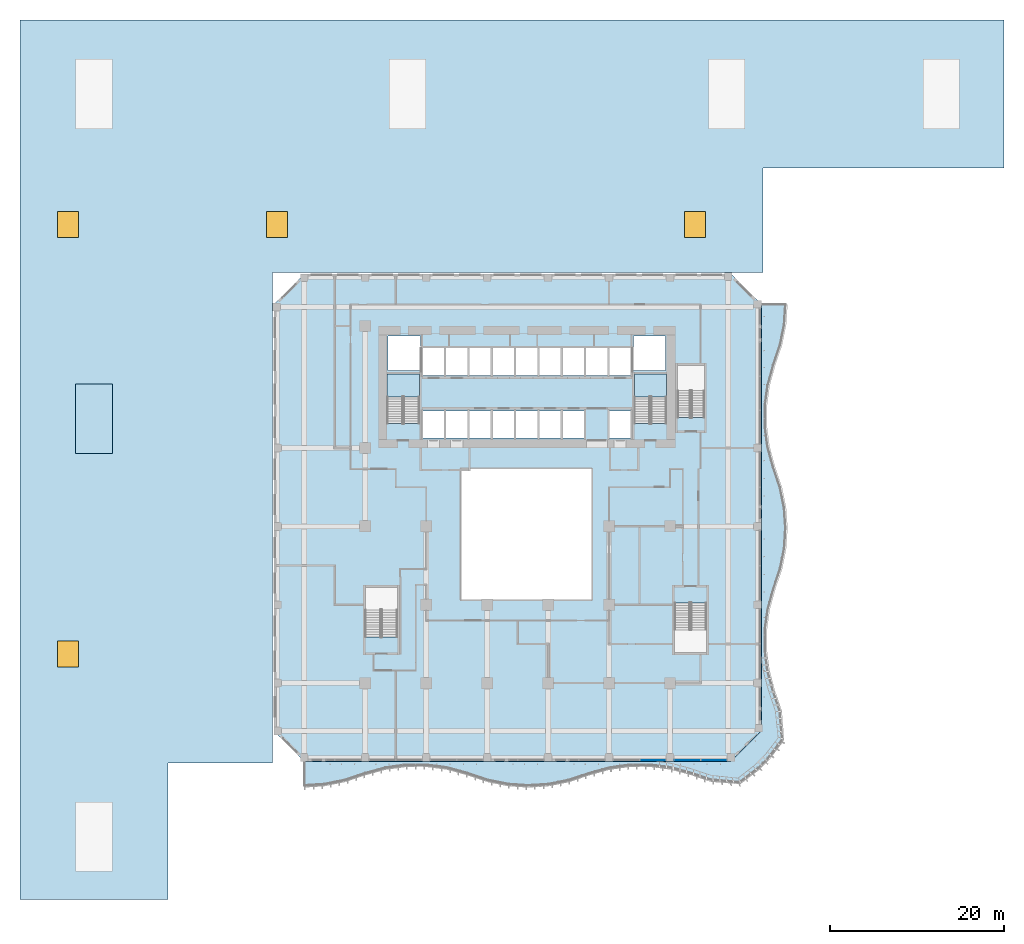
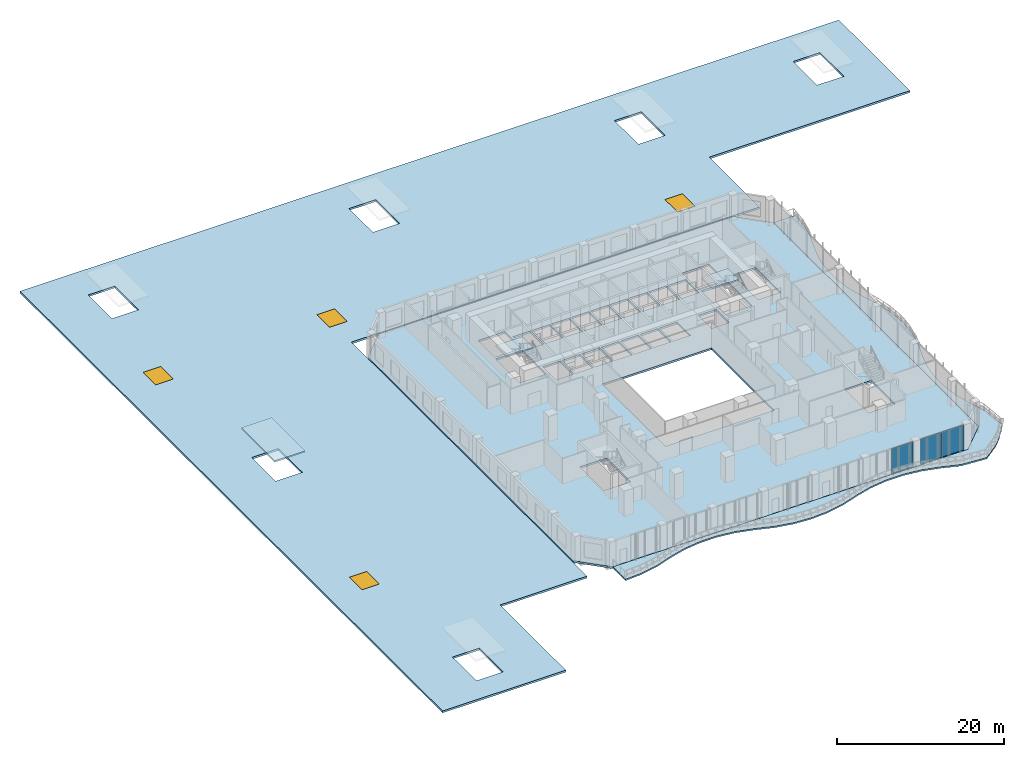
"""IFC4 building model written with IfcOpenShell, lengths in metres."""

from ifc_helpers import new_model, si_unit, direction, frame, origin, origin_2d, place, context, subcontext, project, spatial, polyline, rectangle, outline, extrude, source, transform, mapped, material, layer, layer_set, type_object, element, fill, aggregate, save


model = new_model("IFC4")

# Units and contexts
model_context = context("Model", 3, precision=1e-05, world=origin(), true_north=direction((0.0, 1.0)))
body_context = subcontext(model_context, "Body", "Model", "MODEL_VIEW")
ifc_project = project(units=[si_unit("LENGTHUNIT", "METRE"), si_unit("AREAUNIT", "SQUARE_METRE"), si_unit("VOLUMEUNIT", "CUBIC_METRE"), si_unit("PLANEANGLEUNIT", "RADIAN"), si_unit("MASSUNIT", "GRAM", prefix="KILO")], contexts=[model_context])

# Site, building, storey
site_placement = place(None, origin())
site = spatial("IfcSite", under=ifc_project, at=site_placement, CompositionType="ELEMENT")
building_placement = place(site_placement, origin())
building = spatial("IfcBuilding", under=site, at=building_placement, Name="Kilnfold Tower and Market Hall", CompositionType="ELEMENT")
storey_1_placement = place(building_placement, frame((0.0, 0.0, 27.0)))
storey_1 = spatial("IfcBuildingStorey", under=building, at=storey_1_placement, Name="L05", CompositionType="ELEMENT", Elevation=27.0)

# Slab
ifc_material_1 = material(Name="Concrete C45", Category="concrete")
ifc_layer_1 = layer(ifc_material_1, 0.280029296875)
ifc_layer_set_1 = layer_set([ifc_layer_1], Name="Concrete C45")
slab_type_1 = type_object("IfcSlabType", Name="FLOOR SLAB 280", PredefinedType="FLOOR", material=ifc_layer_set_1)
shared_shape_1 = source(origin(), body_context, "Body", "SweptSolid", [
    extrude(outline(polyline([(-24.5, -28.0), (24.5, -28.0), (28.0, -24.5), (28.0, 24.5), (24.5, 28.0), (-24.5, 28.0), (-28.0, 24.5), (-28.0, -24.5), (-24.5, -28.0)]), holes=[polyline([(-13.800537109375, -13.699462890625), (-17.49951171875, -13.699462890625), (-17.49951171875, -8.00048828125), (-13.800537109375, -8.00048828125), (-13.800537109375, -13.699462890625)]), polyline([(-11.300537109375, 10.800537109375), (-14.99951171875, 10.800537109375), (-14.99951171875, 16.49951171875), (-11.300537109375, 16.49951171875), (-11.300537109375, 10.800537109375)]), polyline([(-11.175048828125, 16.875), (-14.875, 16.875), (-14.875, 20.875), (-11.175048828125, 20.875), (-11.175048828125, 16.875)]), polyline([(-10.885009765625, 9.125), (-10.885009765625, 12.27490234375), (-8.455078125, 12.27490234375), (-8.455078125, 9.125), (-10.885009765625, 9.125)]), polyline([(-10.885009765625, 16.324951171875), (-10.885009765625, 19.47509765625), (-8.455078125, 19.47509765625), (-8.455078125, 16.324951171875), (-10.885009765625, 16.324951171875)]), polyline([(-5.77490234375, 9.125), (-8.205078125, 9.125), (-8.205078125, 12.27490234375), (-5.77490234375, 12.27490234375), (-5.77490234375, 9.125)]), polyline([(-8.205078125, 16.324951171875), (-8.205078125, 19.47509765625), (-5.77490234375, 19.47509765625), (-5.77490234375, 16.324951171875), (-8.205078125, 16.324951171875)]), polyline([(-6.5, -9.39990234375), (-6.5, 5.60009765625), (8.5, 5.60009765625), (8.5, -9.39990234375), (-6.5, -9.39990234375)]), polyline([(-5.52490234375, 9.125), (-5.52490234375, 12.27490234375), (-3.094970703125, 12.27490234375), (-3.094970703125, 9.125), (-5.52490234375, 9.125)]), polyline([(-3.094970703125, 16.324951171875), (-5.52490234375, 16.324951171875), (-5.52490234375, 19.47509765625), (-3.094970703125, 19.47509765625), (-3.094970703125, 16.324951171875)]), polyline([(-2.844970703125, 9.125), (-2.844970703125, 12.27490234375), (-0.4150390625, 12.27490234375), (-0.4150390625, 9.125), (-2.844970703125, 9.125)]), polyline([(-2.844970703125, 16.324951171875), (-2.844970703125, 19.47509765625), (-0.4150390625, 19.47509765625), (-0.4150390625, 16.324951171875), (-2.844970703125, 16.324951171875)]), polyline([(-0.1650390625, 9.125), (-0.1650390625, 12.27490234375), (2.264892578125, 12.27490234375), (2.264892578125, 9.125), (-0.1650390625, 9.125)]), polyline([(-0.1650390625, 16.324951171875), (-0.1650390625, 19.47509765625), (2.264892578125, 19.47509765625), (2.264892578125, 16.324951171875), (-0.1650390625, 16.324951171875)]), polyline([(4.945068359375, 9.125), (2.514892578125, 9.125), (2.514892578125, 12.27490234375), (4.945068359375, 12.27490234375), (4.945068359375, 9.125)]), polyline([(2.514892578125, 16.324951171875), (2.514892578125, 19.47509765625), (4.945068359375, 19.47509765625), (4.945068359375, 16.324951171875), (2.514892578125, 16.324951171875)]), polyline([(5.195068359375, 9.125), (5.195068359375, 12.27490234375), (7.625, 12.27490234375), (7.625, 9.125), (5.195068359375, 9.125)]), polyline([(5.195068359375, 16.324951171875), (5.195068359375, 19.47509765625), (7.625, 19.47509765625), (7.625, 16.324951171875), (5.195068359375, 16.324951171875)]), polyline([(7.875, 16.324951171875), (7.875, 19.47509765625), (10.304931640625, 19.47509765625), (10.304931640625, 16.324951171875), (7.875, 16.324951171875)]), polyline([(10.554931640625, 9.125), (10.554931640625, 12.27490234375), (12.985107421875, 12.27490234375), (12.985107421875, 9.125), (10.554931640625, 9.125)]), polyline([(10.554931640625, 16.324951171875), (10.554931640625, 19.47509765625), (12.985107421875, 19.47509765625), (12.985107421875, 16.324951171875), (10.554931640625, 16.324951171875)]), polyline([(13.27490234375, 16.875), (13.27490234375, 20.875), (16.97509765625, 20.875), (16.97509765625, 16.875), (13.27490234375, 16.875)]), polyline([(17.099609375, 10.800537109375), (13.400390625, 10.800537109375), (13.400390625, 16.49951171875), (17.099609375, 16.49951171875), (17.099609375, 10.800537109375)]), polyline([(21.699462890625, -9.800537109375), (21.699462890625, -15.49951171875), (18.00048828125, -15.49951171875), (18.00048828125, -9.800537109375), (21.699462890625, -9.800537109375)]), polyline([(18.3505859375, 11.50048828125), (18.3505859375, 17.49951171875), (21.449462890625, 17.49951171875), (21.449462890625, 11.50048828125), (18.3505859375, 11.50048828125)])]), origin(), (0.0, 0.0, 1.0), 0.280029296875),
])
slab_1_placement = place(storey_1_placement, frame((0.0, 0.0, -0.280029296875)))
element("IfcSlab", 1, at=slab_1_placement, inside=storey_1, type_object=slab_type_1, Name="Floor slab L05", PredefinedType="FLOOR", context=body_context, shape_type="MappedRepresentation", body=[
    mapped(shared_shape_1, transform((0.0, 0.0, 0.0))),
])

# Slab, openings
ifc_material_2 = material(Name="Concrete C40/50", Category="concrete")
ifc_layer_2 = layer(ifc_material_2, 0.280029296875)
ifc_layer_set_2 = layer_set([ifc_layer_2], Name="Concrete C40/50")
slab_type_2 = type_object("IfcSlabType", Name="HALL ROOF SLAB 280", PredefinedType="ROOF", material=ifc_layer_set_2)
shared_shape_2 = source(origin(), body_context, "Body", "SweptSolid", [
    extrude(outline(polyline([(-57.14990234375, -43.85009765625), (-40.14990234375, -43.85009765625), (-40.14990234375, -28.14990234375), (-28.14990234375, -28.14990234375), (-28.14990234375, -24.56201171875), (-28.14990234375, 24.56201171875), (-28.14990234375, 28.14990234375), (-24.56201171875, 28.14990234375), (24.56201171875, 28.14990234375), (28.14990234375, 28.14990234375), (28.14990234375, 40.14990234375), (55.85009765625, 40.14990234375), (55.85009765625, 57.14990234375), (-28.14990234375, 57.14990234375), (-57.14990234375, 57.14990234375), (-57.14990234375, 28.14990234375), (-57.14990234375, -43.85009765625)]), holes=[polyline([(-50.5, -34.705078125), (-50.5, -40.39990234375), (-46.800048828125, -40.39990234375), (-46.800048828125, -34.705078125), (-50.5, -34.705078125)]), polyline([(-50.5, 13.294921875), (-50.5, 7.60009765625), (-46.800048828125, 7.60009765625), (-46.800048828125, 13.294921875), (-50.5, 13.294921875)]), polyline([(-46.800048828125, 46.705078125), (-46.800048828125, 52.39990234375), (-50.5, 52.39990234375), (-50.5, 46.705078125), (-46.800048828125, 46.705078125)]), polyline([(-10.800048828125, 46.705078125), (-10.800048828125, 52.39990234375), (-14.5, 52.39990234375), (-14.5, 46.705078125), (-10.800048828125, 46.705078125)]), polyline([(25.85009765625, 46.705078125), (25.85009765625, 52.39990234375), (22.14990234375, 52.39990234375), (22.14990234375, 46.705078125), (25.85009765625, 46.705078125)]), polyline([(50.5, 46.705078125), (50.5, 52.39990234375), (46.800048828125, 52.39990234375), (46.800048828125, 46.705078125), (50.5, 46.705078125)])]), origin(), (0.0, 0.0, 1.0), 0.280029296875),
])
slab_2_placement = place(storey_1_placement, frame((0.0, 0.0, -0.280029296875)))
slab_2 = element("IfcSlab", 2, at=slab_2_placement, inside=storey_1, type_object=slab_type_2, Name="Roof slab hall", PredefinedType="ROOF", context=body_context, shape_type="MappedRepresentation", body=[
    mapped(shared_shape_2, transform((0.0, 0.0, 0.0))),
])
opening_1_placement = place(slab_2_placement, frame((-51.64990234375, -15.64990234375, 0.0)))
opening_1 = element("IfcOpeningElement", 3, at=opening_1_placement, cuts=slab_2, Name="Opening MEN4", PredefinedType="OPENING", context=body_context, shape_type="SweptSolid", body=[
    extrude(rectangle(XDim=2.39990234375, YDim=3.0, at=origin_2d()), origin(), (0.0, 0.0, 1.0), 0.280029296875),
])
opening_2_placement = place(slab_2_placement, frame((-51.64990234375, 33.64990234375, 0.0)))
opening_2 = element("IfcOpeningElement", 4, at=opening_2_placement, cuts=slab_2, Name="Opening MEN4", PredefinedType="OPENING", context=body_context, shape_type="SweptSolid", body=[
    extrude(rectangle(XDim=2.39990234375, YDim=3.0, at=origin_2d()), origin(), (0.0, 0.0, 1.0), 0.280029296875),
])
opening_3_placement = place(slab_2_placement, frame((-27.64990234375, 33.64990234375, 0.0)))
opening_3 = element("IfcOpeningElement", 5, at=opening_3_placement, cuts=slab_2, Name="Opening MEN4", PredefinedType="OPENING", context=body_context, shape_type="SweptSolid", body=[
    extrude(rectangle(XDim=2.39990234375, YDim=3.0, at=origin_2d()), origin(), (0.0, 0.0, 1.0), 0.280029296875),
])
opening_4_placement = place(slab_2_placement, frame((20.35009765625, 33.64990234375, 0.0)))
opening_4 = element("IfcOpeningElement", 6, at=opening_4_placement, cuts=slab_2, Name="Opening MEN4", PredefinedType="OPENING", context=body_context, shape_type="SweptSolid", body=[
    extrude(rectangle(XDim=2.39990234375, YDim=3.0, at=origin_2d()), origin(), (0.0, 0.0, 1.0), 0.280029296875),
])

# Storey
storey_2_placement = place(building_placement, frame((0.0, 0.0, 22.5)))
storey_2 = spatial("IfcBuildingStorey", under=building, at=storey_2_placement, Name="L04", CompositionType="ELEMENT", Elevation=22.5)

# Window
ifc_material_3 = material(Name="Aluminium glazing", Category="aluminium")
window_type = type_object("IfcWindowType", Name="ROOFLIGHT 2400X3000", PartitioningType="SINGLE_PANEL", PredefinedType="SKYLIGHT", material=ifc_material_3)
window_1_placement = place(opening_1_placement, frame((0.0, 0.0, 0.22998046875)))
window_1 = element("IfcWindow", 7, at=window_1_placement, inside=storey_2, type_object=window_type, Name="Rooflight", OverallHeight=3.0, OverallWidth=2.39990234375, PartitioningType="SINGLE_PANEL", PredefinedType="SKYLIGHT", context=body_context, shape_type="SweptSolid", body=[
    extrude(rectangle(XDim=2.39990234375, YDim=3.0, at=origin_2d()), origin(), (0.0, 0.0, 1.0), 0.050048828125),
])

fill(opening_1, window_1)

window_2_placement = place(opening_2_placement, frame((0.0, 0.0, 0.22998046875)))
window_2 = element("IfcWindow", 8, at=window_2_placement, inside=storey_2, type_object=window_type, Name="Rooflight", OverallHeight=3.0, OverallWidth=2.39990234375, PartitioningType="SINGLE_PANEL", PredefinedType="SKYLIGHT", context=body_context, shape_type="SweptSolid", body=[
    extrude(rectangle(XDim=2.39990234375, YDim=3.0, at=origin_2d()), origin(), (0.0, 0.0, 1.0), 0.050048828125),
])

fill(opening_2, window_2)

window_3_placement = place(opening_3_placement, frame((0.0, 0.0, 0.22998046875)))
window_3 = element("IfcWindow", 9, at=window_3_placement, inside=storey_2, type_object=window_type, Name="Rooflight", OverallHeight=3.0, OverallWidth=2.39990234375, PartitioningType="SINGLE_PANEL", PredefinedType="SKYLIGHT", context=body_context, shape_type="SweptSolid", body=[
    extrude(rectangle(XDim=2.39990234375, YDim=3.0, at=origin_2d()), origin(), (0.0, 0.0, 1.0), 0.050048828125),
])

fill(opening_3, window_3)

window_4_placement = place(opening_4_placement, frame((0.0, 0.0, 0.22998046875)))
window_4 = element("IfcWindow", 10, at=window_4_placement, inside=storey_2, type_object=window_type, Name="Rooflight", OverallHeight=3.0, OverallWidth=2.39990234375, PartitioningType="SINGLE_PANEL", PredefinedType="SKYLIGHT", context=body_context, shape_type="SweptSolid", body=[
    extrude(rectangle(XDim=2.39990234375, YDim=3.0, at=origin_2d()), origin(), (0.0, 0.0, 1.0), 0.050048828125),
])

fill(opening_4, window_4)

# Curtain wall, plate
ifc_material_4 = material(Name="Aluminium and double glazing", Category="aluminium")
curtain_wall_type = type_object("IfcCurtainWallType", Name="CW OF1 VALLEY GLAZING", PredefinedType="NOTDEFINED", material=ifc_material_4)
curtain_wall_1_placement = place(storey_1_placement, origin())
curtain_wall_1 = element("IfcCurtainWall", 11, at=curtain_wall_1_placement, inside=storey_1, type_object=curtain_wall_type, Name="Curtain wall CW1 L05 S", PredefinedType="NOTDEFINED")
ifc_material_5 = material(Name="Double glazed unit")
ifc_layer_3 = layer(ifc_material_5, 0.031982421875)
ifc_layer_set_3 = layer_set([ifc_layer_3], Name="Double glazed unit")
plate_type = type_object("IfcPlateType", Name="GLAZING PANEL 32", PredefinedType="CURTAIN_PANEL", material=ifc_layer_set_3)
shared_shape_3 = source(origin(), body_context, "Body", "SweptSolid", [
    extrude(rectangle(XDim=2.929931640625, YDim=0.031982421875, at=origin_2d()), origin(), (0.0, 0.0, 1.0), 3.659912109375),
])
plate_1_placement = place(storey_1_placement, frame((15.52490234375, -27.85009765625, 0.0), z_axis=(0.0, 0.0, 1.0), x_axis=(1.0, 0.0, 0.0)))
plate_1 = element("IfcPlate", 12, at=plate_1_placement, type_object=plate_type, Name="CW1 panel 1.1", PredefinedType="CURTAIN_PANEL", context=body_context, shape_type="MappedRepresentation", body=[
    mapped(shared_shape_3, transform((0.0, 0.0, 0.0))),
])
aggregate(curtain_wall_1, [plate_1])

curtain_wall_2_placement = place(storey_1_placement, origin())
curtain_wall_2 = element("IfcCurtainWall", 13, at=curtain_wall_2_placement, inside=storey_1, type_object=curtain_wall_type, Name="Curtain wall CW1 L05 S", PredefinedType="NOTDEFINED")
plate_2_placement = place(storey_1_placement, frame((19.47509765625, -27.85009765625, 0.0), z_axis=(0.0, 0.0, 1.0), x_axis=(1.0, 0.0, 0.0)))
plate_2 = element("IfcPlate", 14, at=plate_2_placement, type_object=plate_type, Name="CW1 panel 1.1", PredefinedType="CURTAIN_PANEL", context=body_context, shape_type="MappedRepresentation", body=[
    mapped(shared_shape_3, transform((0.0, 0.0, 0.0))),
])
aggregate(curtain_wall_2, [plate_2])

curtain_wall_3_placement = place(storey_1_placement, origin())
curtain_wall_3 = element("IfcCurtainWall", 15, at=curtain_wall_3_placement, inside=storey_1, type_object=curtain_wall_type, Name="Curtain wall CW1 L05 S", PredefinedType="NOTDEFINED")
plate_3_placement = place(storey_1_placement, frame((22.52490234375, -27.85009765625, 0.0), z_axis=(0.0, 0.0, 1.0), x_axis=(1.0, 0.0, 0.0)))
plate_3 = element("IfcPlate", 16, at=plate_3_placement, type_object=plate_type, Name="CW1 panel 1.1", PredefinedType="CURTAIN_PANEL", context=body_context, shape_type="MappedRepresentation", body=[
    mapped(shared_shape_3, transform((0.0, 0.0, 0.0))),
])
aggregate(curtain_wall_3, [plate_3])

# Slabs
ifc_material_6 = material(Name="Concrete C40/50", Category="concrete")
ifc_layer_4 = layer(ifc_material_6, 0.219970703125)
ifc_layer_set_4 = layer_set([ifc_layer_4], Name="Concrete C40/50")
slab_type_3 = type_object("IfcSlabType", Name="BALCONY SLAB 220", PredefinedType="FLOOR", material=ifc_layer_set_4)
shared_shape_4 = source(origin(), body_context, "Body", "SweptSolid", [
    extrude(outline(polyline([(-24.5, -28.0), (24.5, -28.0), (28.0, -24.5), (28.0, 24.5), (31.0, 24.5), (30.8466796875, 22.166748046875), (30.379150390625, 19.833251953125), (29.59228515625, 17.5), (28.95361328125, 15.166748046875), (28.640380859375, 12.833251953125), (28.635986328125, 10.5), (28.939453125, 8.166748046875), (29.56787109375, 5.833251953125), (30.35986328125, 3.5), (30.83740234375, 1.166748046875), (31.0, -1.166748046875), (30.85595703125, -3.5), (30.398193359375, -5.833251953125), (29.6171875, -8.166748046875), (28.968017578125, -10.5), (28.6455078125, -12.833251953125), (28.631591796875, -15.166748046875), (28.925537109375, -17.5), (29.543701171875, -19.833251953125), (30.340087890625, -22.166748046875), (30.6123046875, -25.58203125), (28.941162109375, -27.7744140625), (27.7744140625, -28.941162109375), (25.58203125, -30.6123046875), (22.166748046875, -30.340087890625), (19.833251953125, -29.543701171875), (17.5, -28.925537109375), (15.166748046875, -28.631591796875), (12.833251953125, -28.6455078125), (10.5, -28.968017578125), (8.166748046875, -29.6171875), (5.833251953125, -30.398193359375), (3.5, -30.85595703125), (1.166748046875, -31.0), (-1.166748046875, -30.83740234375), (-3.5, -30.35986328125), (-5.833251953125, -29.56787109375), (-8.166748046875, -28.939453125), (-10.5, -28.635986328125), (-12.833251953125, -28.640380859375), (-15.166748046875, -28.95361328125), (-17.5, -29.59228515625), (-19.833251953125, -30.379150390625), (-22.166748046875, -30.8466796875), (-24.5, -31.0), (-24.5, -28.0)])), origin(), (0.0, 0.0, 1.0), 0.219970703125),
])
slab_3_placement = place(storey_1_placement, frame((0.0, 0.0, -0.219970703125)))
element("IfcSlab", 17, at=slab_3_placement, inside=storey_1, type_object=slab_type_3, Name="Balcony slab L05", PredefinedType="FLOOR", context=body_context, shape_type="MappedRepresentation", body=[
    mapped(shared_shape_4, transform((0.0, 0.0, 0.0))),
])
ifc_material_7 = material(Name="Concrete C40/50", Category="concrete")
ifc_layer_5 = layer(ifc_material_7, 0.199951171875)
ifc_layer_set_5 = layer_set([ifc_layer_5], Name="Concrete C40/50")
slab_type_4 = type_object("IfcSlabType", Name="HEADHOUSE ROOF 200", PredefinedType="ROOF", material=ifc_layer_set_5)
shared_shape_5 = source(origin(), body_context, "Body", "SweptSolid", [
    extrude(outline(polyline([(-50.75, 7.35009765625), (-46.550048828125, 7.35009765625), (-46.550048828125, 15.35009765625), (-50.75, 15.35009765625), (-50.75, 7.35009765625)])), origin(), (0.0, 0.0, 1.0), 0.199951171875),
])
slab_4_placement = place(storey_1_placement, frame((0.0, 0.0, 3.0)))
element("IfcSlab", 18, at=slab_4_placement, inside=storey_1, type_object=slab_type_4, Name="Stair head-house roof MS2", PredefinedType="ROOF", context=body_context, shape_type="MappedRepresentation", body=[
    mapped(shared_shape_5, transform((0.0, 0.0, 0.0))),
])

# Stair, slab
ifc_material_8 = material(Name="Concrete C40/50", Category="concrete")
stair_type = type_object("IfcStairType", Name="CORE STAIR 1800", PredefinedType="HALF_TURN_STAIR", material=ifc_material_8)
stair_1_placement = place(storey_1_placement, origin())
stair_1 = element("IfcStair", 19, at=stair_1_placement, inside=storey_1, type_object=stair_type, Name="L05 ST1", PredefinedType="HALF_TURN_STAIR")
ifc_material_9 = material(Name="Concrete C40/50", Category="concrete")
ifc_layer_6 = layer(ifc_material_9, 0.199951171875)
ifc_layer_set_6 = layer_set([ifc_layer_6], Name="Concrete C40/50")
slab_type_5 = type_object("IfcSlabType", Name="CORE STAIR LANDING 200", PredefinedType="LANDING", material=ifc_layer_set_6)
shared_shape_6 = source(origin(), body_context, "Body", "SweptSolid", [
    extrude(outline(polyline([(-11.300048828125, 13.8798828125), (-11.300048828125, 16.5), (-15.0, 16.5), (-15.0, 13.8798828125), (-11.300048828125, 13.8798828125)])), origin(), (0.0, 0.0, 1.0), 0.199951171875),
])
slab_5_placement = place(storey_1_placement, frame((0.0, 0.0, 1.800048828125)))
slab_5 = element("IfcSlab", 20, at=slab_5_placement, type_object=slab_type_5, Name="ST1 landing 1", PredefinedType="LANDING", context=body_context, shape_type="MappedRepresentation", body=[
    mapped(shared_shape_6, transform((0.0, 0.0, 0.0))),
])
aggregate(stair_1, [slab_5])

stair_2_placement = place(storey_1_placement, origin())
stair_2 = element("IfcStair", 21, at=stair_2_placement, inside=storey_1, type_object=stair_type, Name="L05 ST2", PredefinedType="HALF_TURN_STAIR")
shared_shape_7 = source(origin(), body_context, "Body", "SweptSolid", [
    extrude(outline(polyline([(17.10009765625, 13.8798828125), (17.10009765625, 16.5), (13.39990234375, 16.5), (13.39990234375, 13.8798828125), (17.10009765625, 13.8798828125)])), origin(), (0.0, 0.0, 1.0), 0.199951171875),
])
slab_6_placement = place(storey_1_placement, frame((0.0, 0.0, 1.800048828125)))
slab_6 = element("IfcSlab", 22, at=slab_6_placement, type_object=slab_type_5, Name="ST2 landing 1", PredefinedType="LANDING", context=body_context, shape_type="MappedRepresentation", body=[
    mapped(shared_shape_7, transform((0.0, 0.0, 0.0))),
])
aggregate(stair_2, [slab_6])

save(model, "model.ifc")
